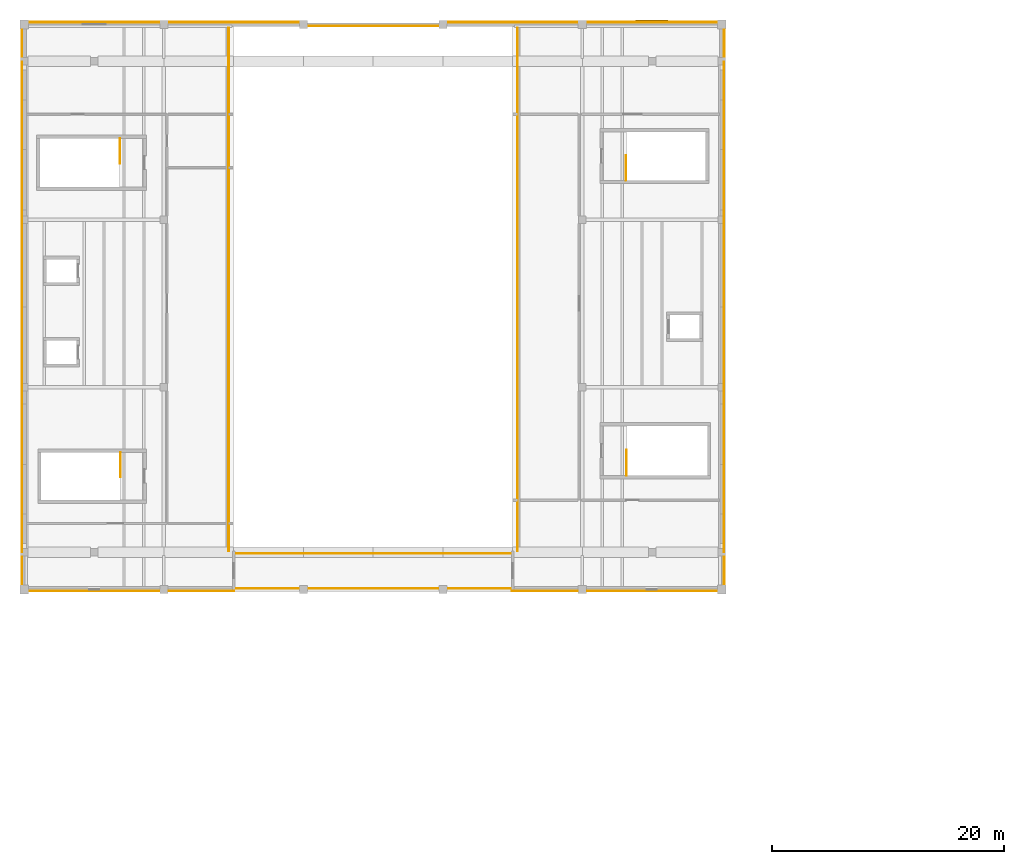
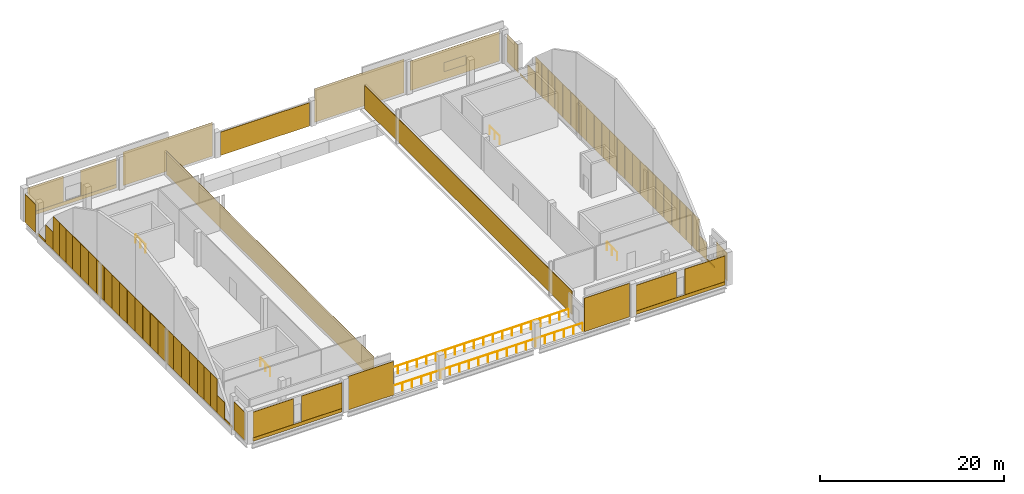
# One storey, part 6 of 7: 73 coverings, 6 railings, 1 shading device.
"""IFC4 building model written with IfcOpenShell, lengths in metres."""

from ifc_helpers import new_model, si_unit, direction, frame, origin, origin_2d, place, context, subcontext, project, spatial, rectangle, circle, extrude, material, layer, layer_set, type_object, element, save


model = new_model("IFC4")

# Units and contexts
model_context = context("Model", 3, precision=1e-05, world=origin(), true_north=direction((0.0, 1.0)))
body_context = subcontext(model_context, "Body", "Model", "MODEL_VIEW")
ifc_project = project(units=[si_unit("LENGTHUNIT", "METRE"), si_unit("AREAUNIT", "SQUARE_METRE"), si_unit("VOLUMEUNIT", "CUBIC_METRE"), si_unit("PLANEANGLEUNIT", "RADIAN"), si_unit("MASSUNIT", "GRAM", prefix="KILO")], contexts=[model_context])

# Site, building, storey
site_placement = place(None, origin())
site = spatial("IfcSite", under=ifc_project, at=site_placement, CompositionType="ELEMENT")
building_placement = place(site_placement, origin())
building = spatial("IfcBuilding", under=site, at=building_placement, Name="Kelmvaro Bay Concert Hall", CompositionType="ELEMENT")
storey_placement = place(building_placement, frame((0.0, 0.0, 22.199951171875)))
storey = spatial("IfcBuildingStorey", under=building, at=storey_placement, Name="L05", CompositionType="ELEMENT", Elevation=22.199951171875)

# Railing
ifc_material_1 = material(Name="Architectural Bronze and Laminated Glass", Category="glass")
railing_type_1 = type_object("IfcRailingType", Name="Auditorium Balcony Acoustic Brass Guard 1120", PredefinedType="BALUSTRADE", material=ifc_material_1)
railing_1_placement = place(storey_placement, frame((18.1201171875, 68.5, 0.0)))
element("IfcRailing", 1, at=railing_1_placement, inside=storey, type_object=railing_type_1, Name="L05 Balcony Guard 011", PredefinedType="BALUSTRADE", context=body_context, shape_type="SweptSolid", body=[
    extrude(circle(Radius=0.02392578125, at=origin_2d()), frame((0.0, 0.0, 1.09619140625), z_axis=(1.0, 0.0, 0.0), x_axis=(0.0, 1.0, 0.0)), (0.0, 0.0, 1.0), 23.759765625),
    extrude(circle(Radius=0.02099609375, at=origin_2d()), origin(), (0.0, 0.0, 1.0), 1.072021484375),
    extrude(circle(Radius=0.02099609375, at=origin_2d()), frame((1.18798828125, 0.0, 0.0)), (0.0, 0.0, 1.0), 1.072021484375),
    extrude(circle(Radius=0.02099609375, at=origin_2d()), frame((2.3759765625, 0.0, 0.0)), (0.0, 0.0, 1.0), 1.072021484375),
    extrude(circle(Radius=0.02099609375, at=origin_2d()), frame((3.56396484375, 0.0, 0.0)), (0.0, 0.0, 1.0), 1.072021484375),
    extrude(circle(Radius=0.02099609375, at=origin_2d()), frame((4.751953125, 0.0, 0.0)), (0.0, 0.0, 1.0), 1.072021484375),
    extrude(circle(Radius=0.02099609375, at=origin_2d()), frame((5.93994140625, 0.0, 0.0)), (0.0, 0.0, 1.0), 1.072021484375),
    extrude(circle(Radius=0.02099609375, at=origin_2d()), frame((7.1279296875, 0.0, 0.0)), (0.0, 0.0, 1.0), 1.072021484375),
    extrude(circle(Radius=0.02099609375, at=origin_2d()), frame((8.31591796875, 0.0, 0.0)), (0.0, 0.0, 1.0), 1.072021484375),
    extrude(circle(Radius=0.02099609375, at=origin_2d()), frame((9.50390625, 0.0, 0.0)), (0.0, 0.0, 1.0), 1.072021484375),
    extrude(circle(Radius=0.02099609375, at=origin_2d()), frame((10.69189453125, 0.0, 0.0)), (0.0, 0.0, 1.0), 1.072021484375),
    extrude(circle(Radius=0.02099609375, at=origin_2d()), frame((11.8798828125, 0.0, 0.0)), (0.0, 0.0, 1.0), 1.072021484375),
    extrude(circle(Radius=0.02099609375, at=origin_2d()), frame((13.06787109375, 0.0, 0.0)), (0.0, 0.0, 1.0), 1.072021484375),
    extrude(circle(Radius=0.02099609375, at=origin_2d()), frame((14.255859375, 0.0, 0.0)), (0.0, 0.0, 1.0), 1.072021484375),
    extrude(circle(Radius=0.02099609375, at=origin_2d()), frame((15.44384765625, 0.0, 0.0)), (0.0, 0.0, 1.0), 1.072021484375),
    extrude(circle(Radius=0.02099609375, at=origin_2d()), frame((16.6318359375, 0.0, 0.0)), (0.0, 0.0, 1.0), 1.072021484375),
    extrude(circle(Radius=0.02099609375, at=origin_2d()), frame((17.81982421875, 0.0, 0.0)), (0.0, 0.0, 1.0), 1.072021484375),
    extrude(circle(Radius=0.02099609375, at=origin_2d()), frame((19.0078125, 0.0, 0.0)), (0.0, 0.0, 1.0), 1.072021484375),
    extrude(circle(Radius=0.02099609375, at=origin_2d()), frame((20.19580078125, 0.0, 0.0)), (0.0, 0.0, 1.0), 1.072021484375),
    extrude(circle(Radius=0.02099609375, at=origin_2d()), frame((21.3837890625, 0.0, 0.0)), (0.0, 0.0, 1.0), 1.072021484375),
    extrude(circle(Radius=0.02099609375, at=origin_2d()), frame((22.57177734375, 0.0, 0.0)), (0.0, 0.0, 1.0), 1.072021484375),
    extrude(circle(Radius=0.02099609375, at=origin_2d()), frame((23.759765625, 0.0, 0.0)), (0.0, 0.0, 1.0), 1.072021484375),
])

# Coverings
ifc_material_2 = material(Name="Honed Florida Limestone Travertine", Category="masonry")
ifc_layer_1 = layer(ifc_material_2, 0.054931640625)
ifc_layer_set_1 = layer_set([ifc_layer_1], Name="Honed Florida Limestone Travertine")
covering_type = type_object("IfcCoveringType", Name="Honed Florida Travertine Rainscreen Cladding 55", PredefinedType="CLADDING", material=ifc_layer_set_1)
covering_1_placement = place(storey_placement, frame((6.012451171875, 114.195556640625, 0.0400390625), z_axis=(0.0, 0.0, 1.0), x_axis=(1.0, 0.0, 0.0)))
element("IfcCovering", 2, at=covering_1_placement, inside=storey, type_object=covering_type, Name="L05 Travertine Sill Band 0190", PredefinedType="CLADDING", context=body_context, shape_type="SweptSolid", body=[
    extrude(rectangle(XDim=11.155029296875, YDim=0.054931640625, at=origin_2d()), origin(), (0.0, 0.0, 1.0), 0.4599609375),
])
covering_2_placement = place(storey_placement, frame((2.6962890625, 114.195556640625, 0.52001953125), z_axis=(0.0, 0.0, 1.0), x_axis=(1.0, 0.0, 0.0)))
element("IfcCovering", 3, at=covering_2_placement, inside=storey, type_object=covering_type, Name="L05 Travertine Pier Panel 0191", PredefinedType="CLADDING", context=body_context, shape_type="SweptSolid", body=[
    extrude(rectangle(XDim=4.48193359375, YDim=0.054931640625, at=origin_2d()), origin(), (0.0, 0.0, 1.0), 3.39697265625),
])
covering_3_placement = place(storey_placement, frame((9.32861328125, 114.195556640625, 0.52001953125), z_axis=(0.0, 0.0, 1.0), x_axis=(1.0, 0.0, 0.0)))
element("IfcCovering", 4, at=covering_3_placement, inside=storey, type_object=covering_type, Name="L05 Travertine Pier Panel 0192", PredefinedType="CLADDING", context=body_context, shape_type="SweptSolid", body=[
    extrude(rectangle(XDim=4.48291015625, YDim=0.054931640625, at=origin_2d()), origin(), (0.0, 0.0, 1.0), 3.39697265625),
])
for number, where, z_axis, x_axis, name in (
    (5, (18.0, 114.195556640625, 0.030029296875), (0.0, 0.0, 1.0), (1.0, 0.0, 0.0), "L05 Travertine Cladding Panel 0193"),
    (6, (42.0, 114.195556640625, 0.030029296875), (0.0, 0.0, 1.0), (1.0, 0.0, 0.0), "L05 Travertine Cladding Panel 0194"),
):
    element("IfcCovering", number, at=place(storey_placement, frame(where, z_axis=z_axis, x_axis=x_axis)), inside=storey, type_object=covering_type, Name=name, PredefinedType="CLADDING", context=body_context, shape_type="SweptSolid", body=[
        extrude(rectangle(XDim=11.179931640625, YDim=0.054931640625, at=origin_2d()), origin(), (0.0, 0.0, 1.0), 4.43994140625),
    ])
covering_4_placement = place(storey_placement, frame((53.987548828125, 114.195556640625, 0.030029296875), z_axis=(0.0, 0.0, 1.0), x_axis=(1.0, 0.0, 0.0)))
element("IfcCovering", 7, at=covering_4_placement, inside=storey, type_object=covering_type, Name="L05 Travertine Cladding Panel 0195", PredefinedType="CLADDING", context=body_context, shape_type="SweptSolid", body=[
    extrude(rectangle(XDim=11.155029296875, YDim=0.054931640625, at=origin_2d()), origin(), (0.0, 0.0, 1.0), 3.9169921875),
])
covering_5_placement = place(storey_placement, frame((6.012451171875, 65.264404296875, 0.0400390625), z_axis=(0.0, 0.0, 1.0), x_axis=(-1.0, 0.0, 0.0)))
element("IfcCovering", 8, at=covering_5_placement, inside=storey, type_object=covering_type, Name="L05 Travertine Sill Band 0196", PredefinedType="CLADDING", context=body_context, shape_type="SweptSolid", body=[
    extrude(rectangle(XDim=11.155029296875, YDim=0.054931640625, at=origin_2d()), origin(), (0.0, 0.0, 1.0), 0.4599609375),
])
for number, where, z_axis, x_axis, name in (
    (9, (9.0537109375, 65.264404296875, 0.52001953125), (0.0, 0.0, 1.0), (-1.0, 0.0, 0.0), "L05 Travertine Pier Panel 0197"),
    (10, (2.97119140625, 65.264404296875, 0.52001953125), (0.0, 0.0, 1.0), (-1.0, 0.0, 0.0), "L05 Travertine Pier Panel 0198"),
):
    element("IfcCovering", number, at=place(storey_placement, frame(where, z_axis=z_axis, x_axis=x_axis)), inside=storey, type_object=covering_type, Name=name, PredefinedType="CLADDING", context=body_context, shape_type="SweptSolid", body=[
        extrude(rectangle(XDim=5.032958984375, YDim=0.054931640625, at=origin_2d()), origin(), (0.0, 0.0, 1.0), 3.39697265625),
    ])
for number, where, z_axis, x_axis, name in (
    (11, (15.22998046875, 65.264404296875, 0.030029296875), (0.0, 0.0, 1.0), (-1.0, 0.0, 0.0), "L05 Travertine Cladding Panel 0199"),
    (12, (44.77001953125, 65.264404296875, 0.030029296875), (0.0, 0.0, 1.0), (-1.0, 0.0, 0.0), "L05 Travertine Cladding Panel 0200"),
):
    element("IfcCovering", number, at=place(storey_placement, frame(where, z_axis=z_axis, x_axis=x_axis)), inside=storey, type_object=covering_type, Name=name, PredefinedType="CLADDING", context=body_context, shape_type="SweptSolid", body=[
        extrude(rectangle(XDim=5.639892578125, YDim=0.054931640625, at=origin_2d()), origin(), (0.0, 0.0, 1.0), 4.43994140625),
    ])
covering_6_placement = place(storey_placement, frame((53.987548828125, 65.264404296875, 0.0400390625), z_axis=(0.0, 0.0, 1.0), x_axis=(-1.0, 0.0, 0.0)))
element("IfcCovering", 13, at=covering_6_placement, inside=storey, type_object=covering_type, Name="L05 Travertine Sill Band 0201", PredefinedType="CLADDING", context=body_context, shape_type="SweptSolid", body=[
    extrude(rectangle(XDim=11.155029296875, YDim=0.054931640625, at=origin_2d()), origin(), (0.0, 0.0, 1.0), 0.4599609375),
])
for number, where, z_axis, x_axis, name in (
    (14, (57.02880859375, 65.264404296875, 0.52001953125), (0.0, 0.0, 1.0), (-1.0, 0.0, 0.0), "L05 Travertine Pier Panel 0202"),
    (15, (50.9462890625, 65.264404296875, 0.52001953125), (0.0, 0.0, 1.0), (-1.0, 0.0, 0.0), "L05 Travertine Pier Panel 0203"),
):
    element("IfcCovering", number, at=place(storey_placement, frame(where, z_axis=z_axis, x_axis=x_axis)), inside=storey, type_object=covering_type, Name=name, PredefinedType="CLADDING", context=body_context, shape_type="SweptSolid", body=[
        extrude(rectangle(XDim=5.032958984375, YDim=0.054931640625, at=origin_2d()), origin(), (0.0, 0.0, 1.0), 3.39697265625),
    ])
covering_7_placement = place(storey_placement, frame((30.0, 113.864501953125, 0.02978515625), z_axis=(0.0, 0.0, 1.0), x_axis=(-1.0, 0.0, 0.0)))
element("IfcCovering", 16, at=covering_7_placement, inside=storey, type_object=covering_type, Name="L05 Travertine Cladding Panel 0204", PredefinedType="CLADDING", context=body_context, shape_type="SweptSolid", body=[
    extrude(rectangle(XDim=11.179931640625, YDim=0.054931640625, at=origin_2d()), origin(), (0.0, 0.0, 1.0), 3.090087890625),
])
for number, where, z_axis, x_axis, name in (
    (17, (-0.20556640625, 67.014892578125, 0.0302734375), (0.0, 0.0, 1.0), (0.0, 1.0, 0.0), "L05 Travertine Cladding Panel 0205"),
    (18, (60.20556640625, 67.014892578125, 0.0302734375), (0.0, 0.0, 1.0), (0.0, -1.0, 0.0), "L05 Travertine Cladding Panel 0206"),
    (19, (-0.20556640625, 112.385009765625, 0.0302734375), (0.0, 0.0, 1.0), (0.0, 1.0, 0.0), "L05 Travertine Cladding Panel 0207"),
    (20, (60.20556640625, 112.385009765625, 0.0302734375), (0.0, 0.0, 1.0), (0.0, -1.0, 0.0), "L05 Travertine Cladding Panel 0208"),
):
    element("IfcCovering", number, at=place(storey_placement, frame(where, z_axis=z_axis, x_axis=x_axis)), inside=storey, type_object=covering_type, Name=name, PredefinedType="CLADDING", context=body_context, shape_type="SweptSolid", body=[
        extrude(rectangle(XDim=2.360107421875, YDim=0.054931640625, at=origin_2d()), origin(), (0.0, 0.0, 1.0), 3.677978515625),
    ])
for number, where, z_axis, x_axis, name in (
    (21, (17.58544921875, 91.199951171875, 0.02978515625), (0.0, 0.0, 1.0), (0.0, -1.0, 0.0), "L05 Travertine Cladding Panel 0209"),
    (22, (42.41455078125, 91.199951171875, 0.02978515625), (0.0, 0.0, 1.0), (0.0, 1.0, 0.0), "L05 Travertine Cladding Panel 0210"),
):
    element("IfcCovering", number, at=place(storey_placement, frame(where, z_axis=z_axis, x_axis=x_axis)), inside=storey, type_object=covering_type, Name=name, PredefinedType="CLADDING", context=body_context, shape_type="SweptSolid", body=[
        extrude(rectangle(XDim=45.0, YDim=0.054931640625, at=origin_2d()), origin(), (0.0, 0.0, 1.0), 3.090087890625),
    ])
covering_8_placement = place(storey_placement, frame((-0.195556640625, 69.412109375, 0.010009765625), z_axis=(0.0, 0.0, 1.0), x_axis=(0.0, 1.0, 0.0)))
element("IfcCovering", 23, at=covering_8_placement, inside=storey, type_object=covering_type, Name="L05 Raked Travertine Gable Panel 0211", PredefinedType="CLADDING", context=body_context, shape_type="SweptSolid", body=[
    extrude(rectangle(XDim=1.60400390625, YDim=0.054931640625, at=origin_2d()), origin(), (0.0, 0.0, 1.0), 0.248046875),
])
for number, where, z_axis, x_axis, name in (
    (24, (-0.195556640625, 71.07666015625, 0.009765625), (0.0, 0.0, 1.0), (0.0, 1.0, 0.0), "L05 Raked Travertine Gable Panel 0212"),
    (25, (60.195556640625, 71.07666015625, 0.009765625), (0.0, 0.0, 1.0), (0.0, -1.0, 0.0), "L05 Raked Travertine Gable Panel 0213"),
):
    element("IfcCovering", number, at=place(storey_placement, frame(where, z_axis=z_axis, x_axis=x_axis)), inside=storey, type_object=covering_type, Name=name, PredefinedType="CLADDING", context=body_context, shape_type="SweptSolid", body=[
        extrude(rectangle(XDim=1.60400390625, YDim=0.054931640625, at=origin_2d()), origin(), (0.0, 0.0, 1.0), 2.35498046875),
    ])
covering_9_placement = place(storey_placement, frame((60.195556640625, 69.412109375, 0.010009765625), z_axis=(0.0, 0.0, 1.0), x_axis=(0.0, -1.0, 0.0)))
element("IfcCovering", 26, at=covering_9_placement, inside=storey, type_object=covering_type, Name="L05 Raked Travertine Gable Panel 0214", PredefinedType="CLADDING", context=body_context, shape_type="SweptSolid", body=[
    extrude(rectangle(XDim=1.60400390625, YDim=0.054931640625, at=origin_2d()), origin(), (0.0, 0.0, 1.0), 0.248046875),
])
covering_10_placement = place(storey_placement, frame((-0.195556640625, 72.615478515625, 0.009765625), z_axis=(0.0, 0.0, 1.0), x_axis=(0.0, 1.0, 0.0)))
element("IfcCovering", 27, at=covering_10_placement, inside=storey, type_object=covering_type, Name="L05 Raked Travertine Gable Panel 0215", PredefinedType="CLADDING", context=body_context, shape_type="SweptSolid", body=[
    extrude(rectangle(XDim=1.35302734375, YDim=0.054931640625, at=origin_2d()), origin(), (0.0, 0.0, 1.0), 4.449951171875),
])
for number, where, z_axis, x_axis, name in (
    (28, (-0.195556640625, 74.02880859375, 0.01025390625), (0.0, 0.0, 1.0), (0.0, 1.0, 0.0), "L05 Raked Travertine Gable Panel 0216"),
    (29, (-0.195556640625, 75.44189453125, 0.01025390625), (0.0, 0.0, 1.0), (0.0, 1.0, 0.0), "L05 Raked Travertine Gable Panel 0218"),
    (30, (60.195556640625, 75.44189453125, 0.01025390625), (0.0, 0.0, 1.0), (0.0, -1.0, 0.0), "L05 Raked Travertine Gable Panel 0220"),
    (31, (60.195556640625, 74.02880859375, 0.01025390625), (0.0, 0.0, 1.0), (0.0, -1.0, 0.0), "L05 Raked Travertine Gable Panel 0222"),
):
    element("IfcCovering", number, at=place(storey_placement, frame(where, z_axis=z_axis, x_axis=x_axis)), inside=storey, type_object=covering_type, Name=name, PredefinedType="CLADDING", context=body_context, shape_type="SweptSolid", body=[
        extrude(rectangle(XDim=1.35302734375, YDim=0.054931640625, at=origin_2d()), origin(), (0.0, 0.0, 1.0), 4.469970703125),
    ])
covering_11_placement = place(storey_placement, frame((60.195556640625, 72.615478515625, 0.009765625), z_axis=(0.0, 0.0, 1.0), x_axis=(0.0, -1.0, 0.0)))
element("IfcCovering", 32, at=covering_11_placement, inside=storey, type_object=covering_type, Name="L05 Raked Travertine Gable Panel 0224", PredefinedType="CLADDING", context=body_context, shape_type="SweptSolid", body=[
    extrude(rectangle(XDim=1.35302734375, YDim=0.054931640625, at=origin_2d()), origin(), (0.0, 0.0, 1.0), 4.449951171875),
])
for number, where, z_axis, x_axis, name in (
    (33, (-0.195556640625, 77.016845703125, 0.01025390625), (0.0, 0.0, 1.0), (0.0, 1.0, 0.0), "L05 Raked Travertine Gable Panel 0225"),
    (34, (-0.195556640625, 78.753173828125, 0.01025390625), (0.0, 0.0, 1.0), (0.0, 1.0, 0.0), "L05 Raked Travertine Gable Panel 0227"),
    (35, (-0.195556640625, 80.489501953125, 0.01025390625), (0.0, 0.0, 1.0), (0.0, 1.0, 0.0), "L05 Raked Travertine Gable Panel 0229"),
    (36, (60.195556640625, 80.489501953125, 0.01025390625), (0.0, 0.0, 1.0), (0.0, -1.0, 0.0), "L05 Raked Travertine Gable Panel 0231"),
    (37, (60.195556640625, 78.753173828125, 0.01025390625), (0.0, 0.0, 1.0), (0.0, -1.0, 0.0), "L05 Raked Travertine Gable Panel 0233"),
    (38, (60.195556640625, 77.016845703125, 0.01025390625), (0.0, 0.0, 1.0), (0.0, -1.0, 0.0), "L05 Raked Travertine Gable Panel 0235"),
):
    element("IfcCovering", number, at=place(storey_placement, frame(where, z_axis=z_axis, x_axis=x_axis)), inside=storey, type_object=covering_type, Name=name, PredefinedType="CLADDING", context=body_context, shape_type="SweptSolid", body=[
        extrude(rectangle(XDim=1.676025390625, YDim=0.054931640625, at=origin_2d()), origin(), (0.0, 0.0, 1.0), 4.469970703125),
    ])
for number, where, z_axis, x_axis, name in (
    (39, (-0.195556640625, 82.19189453125, 0.01025390625), (0.0, 0.0, 1.0), (0.0, 1.0, 0.0), "L05 Raked Travertine Gable Panel 0237"),
    (40, (-0.195556640625, 83.860595703125, 0.01025390625), (0.0, 0.0, 1.0), (0.0, 1.0, 0.0), "L05 Raked Travertine Gable Panel 0239"),
    (41, (-0.195556640625, 85.52880859375, 0.01025390625), (0.0, 0.0, 1.0), (0.0, 1.0, 0.0), "L05 Raked Travertine Gable Panel 0241"),
    (42, (-0.195556640625, 87.197265625, 0.01025390625), (0.0, 0.0, 1.0), (0.0, 1.0, 0.0), "L05 Raked Travertine Gable Panel 0243"),
    (43, (-0.195556640625, 88.86572265625, 0.01025390625), (0.0, 0.0, 1.0), (0.0, 1.0, 0.0), "L05 Raked Travertine Gable Panel 0245"),
    (44, (60.195556640625, 88.86572265625, 0.01025390625), (0.0, 0.0, 1.0), (0.0, -1.0, 0.0), "L05 Raked Travertine Gable Panel 0247"),
    (45, (60.195556640625, 87.197265625, 0.01025390625), (0.0, 0.0, 1.0), (0.0, -1.0, 0.0), "L05 Raked Travertine Gable Panel 0249"),
    (46, (60.195556640625, 85.52880859375, 0.01025390625), (0.0, 0.0, 1.0), (0.0, -1.0, 0.0), "L05 Raked Travertine Gable Panel 0251"),
    (47, (60.195556640625, 83.860595703125, 0.01025390625), (0.0, 0.0, 1.0), (0.0, -1.0, 0.0), "L05 Raked Travertine Gable Panel 0253"),
    (48, (60.195556640625, 82.19189453125, 0.01025390625), (0.0, 0.0, 1.0), (0.0, -1.0, 0.0), "L05 Raked Travertine Gable Panel 0255"),
    (49, (-0.195556640625, 90.5341796875, 0.01025390625), (0.0, 0.0, 1.0), (0.0, 1.0, 0.0), "L05 Raked Travertine Gable Panel 0257"),
    (50, (-0.195556640625, 92.20263671875, 0.01025390625), (0.0, 0.0, 1.0), (0.0, 1.0, 0.0), "L05 Raked Travertine Gable Panel 0259"),
    (51, (-0.195556640625, 93.87109375, 0.01025390625), (0.0, 0.0, 1.0), (0.0, 1.0, 0.0), "L05 Raked Travertine Gable Panel 0261"),
    (52, (-0.195556640625, 95.53955078125, 0.01025390625), (0.0, 0.0, 1.0), (0.0, 1.0, 0.0), "L05 Raked Travertine Gable Panel 0263"),
    (53, (-0.195556640625, 97.2080078125, 0.01025390625), (0.0, 0.0, 1.0), (0.0, 1.0, 0.0), "L05 Raked Travertine Gable Panel 0265"),
    (54, (60.195556640625, 97.2080078125, 0.01025390625), (0.0, 0.0, 1.0), (0.0, -1.0, 0.0), "L05 Raked Travertine Gable Panel 0267"),
    (55, (60.195556640625, 95.53955078125, 0.01025390625), (0.0, 0.0, 1.0), (0.0, -1.0, 0.0), "L05 Raked Travertine Gable Panel 0269"),
    (56, (60.195556640625, 93.87109375, 0.01025390625), (0.0, 0.0, 1.0), (0.0, -1.0, 0.0), "L05 Raked Travertine Gable Panel 0271"),
    (57, (60.195556640625, 92.20263671875, 0.01025390625), (0.0, 0.0, 1.0), (0.0, -1.0, 0.0), "L05 Raked Travertine Gable Panel 0273"),
    (58, (60.195556640625, 90.5341796875, 0.01025390625), (0.0, 0.0, 1.0), (0.0, -1.0, 0.0), "L05 Raked Travertine Gable Panel 0275"),
):
    element("IfcCovering", number, at=place(storey_placement, frame(where, z_axis=z_axis, x_axis=x_axis)), inside=storey, type_object=covering_type, Name=name, PredefinedType="CLADDING", context=body_context, shape_type="SweptSolid", body=[
        extrude(rectangle(XDim=1.60791015625, YDim=0.054931640625, at=origin_2d()), origin(), (0.0, 0.0, 1.0), 4.469970703125),
    ])
for number, where, z_axis, x_axis, name in (
    (59, (-0.195556640625, 98.910400390625, 0.01025390625), (0.0, 0.0, 1.0), (0.0, 1.0, 0.0), "L05 Raked Travertine Gable Panel 0277"),
    (60, (-0.195556640625, 100.646728515625, 0.01025390625), (0.0, 0.0, 1.0), (0.0, 1.0, 0.0), "L05 Raked Travertine Gable Panel 0279"),
    (61, (-0.195556640625, 102.38330078125, 0.01025390625), (0.0, 0.0, 1.0), (0.0, 1.0, 0.0), "L05 Raked Travertine Gable Panel 0281"),
    (62, (60.195556640625, 102.38330078125, 0.01025390625), (0.0, 0.0, 1.0), (0.0, -1.0, 0.0), "L05 Raked Travertine Gable Panel 0283"),
    (63, (60.195556640625, 100.646728515625, 0.01025390625), (0.0, 0.0, 1.0), (0.0, -1.0, 0.0), "L05 Raked Travertine Gable Panel 0285"),
    (64, (60.195556640625, 98.910400390625, 0.01025390625), (0.0, 0.0, 1.0), (0.0, -1.0, 0.0), "L05 Raked Travertine Gable Panel 0287"),
):
    element("IfcCovering", number, at=place(storey_placement, frame(where, z_axis=z_axis, x_axis=x_axis)), inside=storey, type_object=covering_type, Name=name, PredefinedType="CLADDING", context=body_context, shape_type="SweptSolid", body=[
        extrude(rectangle(XDim=1.676025390625, YDim=0.054931640625, at=origin_2d()), origin(), (0.0, 0.0, 1.0), 4.469970703125),
    ])
for number, where, z_axis, x_axis, name in (
    (65, (-0.195556640625, 103.9580078125, 0.01025390625), (0.0, 0.0, 1.0), (0.0, 1.0, 0.0), "L05 Raked Travertine Gable Panel 0289"),
    (66, (-0.195556640625, 105.371337890625, 0.01025390625), (0.0, 0.0, 1.0), (0.0, 1.0, 0.0), "L05 Raked Travertine Gable Panel 0291"),
):
    element("IfcCovering", number, at=place(storey_placement, frame(where, z_axis=z_axis, x_axis=x_axis)), inside=storey, type_object=covering_type, Name=name, PredefinedType="CLADDING", context=body_context, shape_type="SweptSolid", body=[
        extrude(rectangle(XDim=1.35302734375, YDim=0.054931640625, at=origin_2d()), origin(), (0.0, 0.0, 1.0), 4.469970703125),
    ])
for number, where, z_axis, x_axis, name in (
    (67, (-0.195556640625, 106.784423828125, 0.009765625), (0.0, 0.0, 1.0), (0.0, 1.0, 0.0), "L05 Raked Travertine Gable Panel 0293"),
    (68, (60.195556640625, 106.784423828125, 0.009765625), (0.0, 0.0, 1.0), (0.0, -1.0, 0.0), "L05 Raked Travertine Gable Panel 0294"),
):
    element("IfcCovering", number, at=place(storey_placement, frame(where, z_axis=z_axis, x_axis=x_axis)), inside=storey, type_object=covering_type, Name=name, PredefinedType="CLADDING", context=body_context, shape_type="SweptSolid", body=[
        extrude(rectangle(XDim=1.35302734375, YDim=0.054931640625, at=origin_2d()), origin(), (0.0, 0.0, 1.0), 4.449951171875),
    ])
for number, where, z_axis, x_axis, name in (
    (69, (60.195556640625, 105.371337890625, 0.01025390625), (0.0, 0.0, 1.0), (0.0, -1.0, 0.0), "L05 Raked Travertine Gable Panel 0295"),
    (70, (60.195556640625, 103.9580078125, 0.01025390625), (0.0, 0.0, 1.0), (0.0, -1.0, 0.0), "L05 Raked Travertine Gable Panel 0297"),
):
    element("IfcCovering", number, at=place(storey_placement, frame(where, z_axis=z_axis, x_axis=x_axis)), inside=storey, type_object=covering_type, Name=name, PredefinedType="CLADDING", context=body_context, shape_type="SweptSolid", body=[
        extrude(rectangle(XDim=1.35302734375, YDim=0.054931640625, at=origin_2d()), origin(), (0.0, 0.0, 1.0), 4.469970703125),
    ])
covering_12_placement = place(storey_placement, frame((-0.195556640625, 108.3232421875, 0.009765625), z_axis=(0.0, 0.0, 1.0), x_axis=(0.0, 1.0, 0.0)))
element("IfcCovering", 71, at=covering_12_placement, inside=storey, type_object=covering_type, Name="L05 Raked Travertine Gable Panel 0299", PredefinedType="CLADDING", context=body_context, shape_type="SweptSolid", body=[
    extrude(rectangle(XDim=1.60400390625, YDim=0.054931640625, at=origin_2d()), origin(), (0.0, 0.0, 1.0), 2.35498046875),
])
for number, where, z_axis, x_axis, name in (
    (72, (-0.195556640625, 109.98779296875, 0.010009765625), (0.0, 0.0, 1.0), (0.0, 1.0, 0.0), "L05 Raked Travertine Gable Panel 0300"),
    (73, (60.195556640625, 109.98779296875, 0.010009765625), (0.0, 0.0, 1.0), (0.0, -1.0, 0.0), "L05 Raked Travertine Gable Panel 0301"),
):
    element("IfcCovering", number, at=place(storey_placement, frame(where, z_axis=z_axis, x_axis=x_axis)), inside=storey, type_object=covering_type, Name=name, PredefinedType="CLADDING", context=body_context, shape_type="SweptSolid", body=[
        extrude(rectangle(XDim=1.60400390625, YDim=0.054931640625, at=origin_2d()), origin(), (0.0, 0.0, 1.0), 0.248046875),
    ])
covering_13_placement = place(storey_placement, frame((60.195556640625, 108.3232421875, 0.009765625), z_axis=(0.0, 0.0, 1.0), x_axis=(0.0, -1.0, 0.0)))
element("IfcCovering", 74, at=covering_13_placement, inside=storey, type_object=covering_type, Name="L05 Raked Travertine Gable Panel 0302", PredefinedType="CLADDING", context=body_context, shape_type="SweptSolid", body=[
    extrude(rectangle(XDim=1.60400390625, YDim=0.054931640625, at=origin_2d()), origin(), (0.0, 0.0, 1.0), 2.35498046875),
])

# Shading device
ifc_material_3 = material(Name="Anodised Extruded Aluminium 6063-T6", Category="aluminium")
ifc_layer_2 = layer(ifc_material_3, 1.199951171875)
ifc_layer_set_2 = layer_set([ifc_layer_2], Name="Anodised Extruded Aluminium 6063-T6")
shading_device_type = type_object("IfcShadingDeviceType", Name="Hurricane Acoustic Intake Storm Louvre 2800x1200", PredefinedType="JALOUSIE", material=ifc_layer_set_2)
shading_device_placement = place(storey_placement, frame((53.987548828125, 114.277099609375, 1.05029296875), z_axis=(0.0, 0.0, 1.0), x_axis=(1.0, 0.0, 0.0)))
element("IfcShadingDevice", 75, at=shading_device_placement, inside=storey, type_object=shading_device_type, Name="L05 Storm Acoustic Louvre 044", PredefinedType="JALOUSIE", context=body_context, shape_type="SweptSolid", body=[
    extrude(rectangle(XDim=2.800048828125, YDim=0.219970703125, at=origin_2d()), origin(), (0.0, 0.0, 1.0), 1.199951171875),
])

# Railings
ifc_material_4 = material(Name="Powder-Coated Steel ASTM A500", Category="steel")
railing_type_2 = type_object("IfcRailingType", Name="Stair Well Painted Steel Guard 1100", PredefinedType="BALUSTRADE", material=ifc_material_4)
railing_2_placement = place(storey_placement, frame((8.27001953125, 77.199951171875, 0.0)))
element("IfcRailing", 76, at=railing_2_placement, inside=storey, type_object=railing_type_2, Name="L05 ST-01 top well guard 1", PredefinedType="BALUSTRADE", context=body_context, shape_type="SweptSolid", body=[
    extrude(circle(Radius=0.02392578125, at=origin_2d()), frame((0.0, 0.0, 1.076171875), z_axis=(0.0, -1.0, 0.0), x_axis=(1.0, 0.0, 0.0)), (0.0, 0.0, 1.0), 2.1298828125),
    extrude(circle(Radius=0.02099609375, at=origin_2d()), origin(), (0.0, 0.0, 1.0), 1.052001953125),
    extrude(circle(Radius=0.02099609375, at=origin_2d()), frame((0.0, -1.06494140625, 0.0)), (0.0, 0.0, 1.0), 1.052001953125),
    extrude(circle(Radius=0.02099609375, at=origin_2d()), frame((0.0, -2.1298828125, 0.0)), (0.0, 0.0, 1.0), 1.052001953125),
])
railing_3_placement = place(storey_placement, frame((51.75, 100.60009765625, 0.0)))
element("IfcRailing", 77, at=railing_3_placement, inside=storey, type_object=railing_type_2, Name="L05 ST-02 top well guard 1", PredefinedType="BALUSTRADE", context=body_context, shape_type="SweptSolid", body=[
    extrude(circle(Radius=0.02392578125, at=origin_2d()), frame((0.0, 0.0, 1.076171875), z_axis=(0.0, 1.0, 0.0), x_axis=(-1.0, 0.0, 0.0)), (0.0, 0.0, 1.0), 2.14990234375),
    extrude(circle(Radius=0.02099609375, at=origin_2d()), origin(), (0.0, 0.0, 1.0), 1.052001953125),
    extrude(circle(Radius=0.02099609375, at=origin_2d()), frame((0.0, 1.074951171875, 0.0)), (0.0, 0.0, 1.0), 1.052001953125),
    extrude(circle(Radius=0.02099609375, at=origin_2d()), frame((0.0, 2.14990234375, 0.0)), (0.0, 0.0, 1.0), 1.052001953125),
])
railing_4_placement = place(storey_placement, frame((8.22998046875, 104.199951171875, 0.0)))
element("IfcRailing", 78, at=railing_4_placement, inside=storey, type_object=railing_type_2, Name="L05 ST-03 top well guard 1", PredefinedType="BALUSTRADE", context=body_context, shape_type="SweptSolid", body=[
    extrude(circle(Radius=0.02392578125, at=origin_2d()), frame((0.0, 0.0, 1.076171875), z_axis=(0.0, -1.0, 0.0), x_axis=(1.0, 0.0, 0.0)), (0.0, 0.0, 1.0), 2.169921875),
    extrude(circle(Radius=0.02099609375, at=origin_2d()), origin(), (0.0, 0.0, 1.0), 1.052001953125),
    extrude(circle(Radius=0.02099609375, at=origin_2d()), frame((0.0, -1.0849609375, 0.0)), (0.0, 0.0, 1.0), 1.052001953125),
    extrude(circle(Radius=0.02099609375, at=origin_2d()), frame((0.0, -2.169921875, 0.0)), (0.0, 0.0, 1.0), 1.052001953125),
])
railing_5_placement = place(storey_placement, frame((51.800048828125, 75.199951171875, 0.0)))
element("IfcRailing", 79, at=railing_5_placement, inside=storey, type_object=railing_type_2, Name="L05 ST-04 top well guard 1", PredefinedType="BALUSTRADE", context=body_context, shape_type="SweptSolid", body=[
    extrude(circle(Radius=0.02392578125, at=origin_2d()), frame((0.0, 0.0, 1.076171875), z_axis=(0.0, 1.0, 0.0), x_axis=(-1.0, 0.0, 0.0)), (0.0, 0.0, 1.0), 2.199951171875),
    extrude(circle(Radius=0.02099609375, at=origin_2d()), origin(), (0.0, 0.0, 1.0), 1.052001953125),
    extrude(circle(Radius=0.02099609375, at=origin_2d()), frame((0.0, 1.10009765625, 0.0)), (0.0, 0.0, 1.0), 1.052001953125),
    extrude(circle(Radius=0.02099609375, at=origin_2d()), frame((0.0, 2.199951171875, 0.0)), (0.0, 0.0, 1.0), 1.052001953125),
])
ifc_material_5 = material(Name="Stainless Steel 316 and Laminated Glass", Category="steel")
railing_type_3 = type_object("IfcRailingType", Name="Waterfront Terrace Laminated Glass Guard 1100", PredefinedType="BALUSTRADE", material=ifc_material_5)
railing_6_placement = place(storey_placement, frame((18.1201171875, 65.47998046875, 0.0)))
element("IfcRailing", 80, at=railing_6_placement, inside=storey, type_object=railing_type_3, Name="L05 Terrace Guard 010", PredefinedType="BALUSTRADE", context=body_context, shape_type="SweptSolid", body=[
    extrude(circle(Radius=0.02392578125, at=origin_2d()), frame((0.0, 0.0, 1.076171875), z_axis=(1.0, 0.0, 0.0), x_axis=(0.0, 1.0, 0.0)), (0.0, 0.0, 1.0), 23.759765625),
    extrude(circle(Radius=0.02099609375, at=origin_2d()), origin(), (0.0, 0.0, 1.0), 1.052001953125),
    extrude(circle(Radius=0.02099609375, at=origin_2d()), frame((1.18798828125, 0.0, 0.0)), (0.0, 0.0, 1.0), 1.052001953125),
    extrude(circle(Radius=0.02099609375, at=origin_2d()), frame((2.3759765625, 0.0, 0.0)), (0.0, 0.0, 1.0), 1.052001953125),
    extrude(circle(Radius=0.02099609375, at=origin_2d()), frame((3.56396484375, 0.0, 0.0)), (0.0, 0.0, 1.0), 1.052001953125),
    extrude(circle(Radius=0.02099609375, at=origin_2d()), frame((4.751953125, 0.0, 0.0)), (0.0, 0.0, 1.0), 1.052001953125),
    extrude(circle(Radius=0.02099609375, at=origin_2d()), frame((5.93994140625, 0.0, 0.0)), (0.0, 0.0, 1.0), 1.052001953125),
    extrude(circle(Radius=0.02099609375, at=origin_2d()), frame((7.1279296875, 0.0, 0.0)), (0.0, 0.0, 1.0), 1.052001953125),
    extrude(circle(Radius=0.02099609375, at=origin_2d()), frame((8.31591796875, 0.0, 0.0)), (0.0, 0.0, 1.0), 1.052001953125),
    extrude(circle(Radius=0.02099609375, at=origin_2d()), frame((9.50390625, 0.0, 0.0)), (0.0, 0.0, 1.0), 1.052001953125),
    extrude(circle(Radius=0.02099609375, at=origin_2d()), frame((10.69189453125, 0.0, 0.0)), (0.0, 0.0, 1.0), 1.052001953125),
    extrude(circle(Radius=0.02099609375, at=origin_2d()), frame((11.8798828125, 0.0, 0.0)), (0.0, 0.0, 1.0), 1.052001953125),
    extrude(circle(Radius=0.02099609375, at=origin_2d()), frame((13.06787109375, 0.0, 0.0)), (0.0, 0.0, 1.0), 1.052001953125),
    extrude(circle(Radius=0.02099609375, at=origin_2d()), frame((14.255859375, 0.0, 0.0)), (0.0, 0.0, 1.0), 1.052001953125),
    extrude(circle(Radius=0.02099609375, at=origin_2d()), frame((15.44384765625, 0.0, 0.0)), (0.0, 0.0, 1.0), 1.052001953125),
    extrude(circle(Radius=0.02099609375, at=origin_2d()), frame((16.6318359375, 0.0, 0.0)), (0.0, 0.0, 1.0), 1.052001953125),
    extrude(circle(Radius=0.02099609375, at=origin_2d()), frame((17.81982421875, 0.0, 0.0)), (0.0, 0.0, 1.0), 1.052001953125),
    extrude(circle(Radius=0.02099609375, at=origin_2d()), frame((19.0078125, 0.0, 0.0)), (0.0, 0.0, 1.0), 1.052001953125),
    extrude(circle(Radius=0.02099609375, at=origin_2d()), frame((20.19580078125, 0.0, 0.0)), (0.0, 0.0, 1.0), 1.052001953125),
    extrude(circle(Radius=0.02099609375, at=origin_2d()), frame((21.3837890625, 0.0, 0.0)), (0.0, 0.0, 1.0), 1.052001953125),
    extrude(circle(Radius=0.02099609375, at=origin_2d()), frame((22.57177734375, 0.0, 0.0)), (0.0, 0.0, 1.0), 1.052001953125),
    extrude(circle(Radius=0.02099609375, at=origin_2d()), frame((23.759765625, 0.0, 0.0)), (0.0, 0.0, 1.0), 1.052001953125),
])

save(model, "model.ifc")
